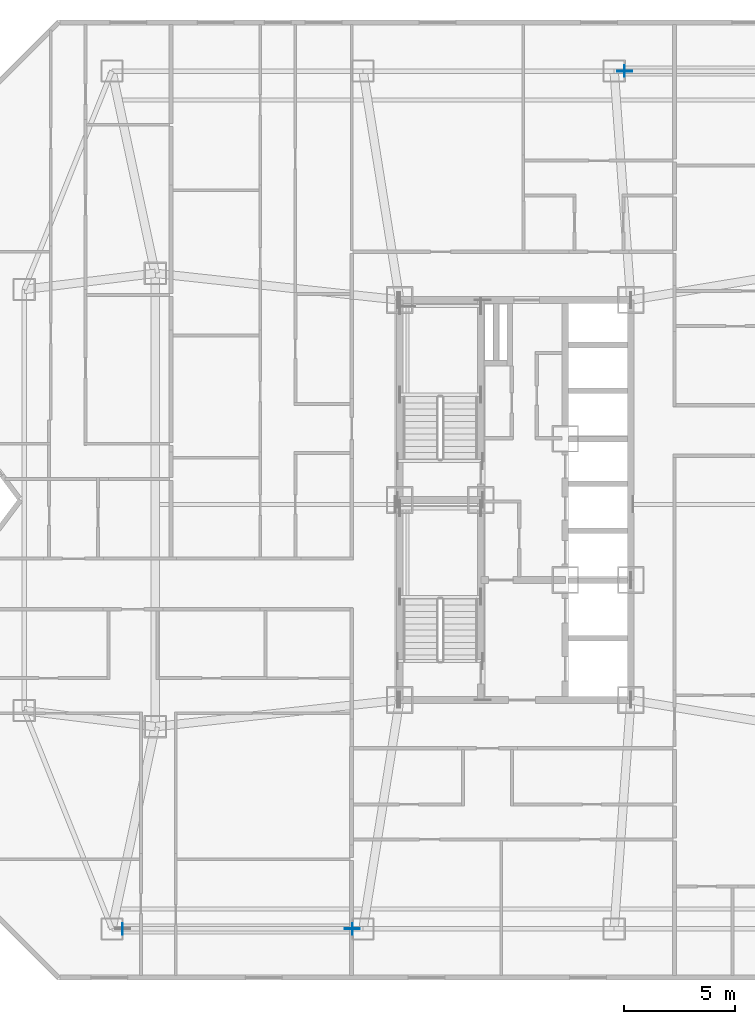
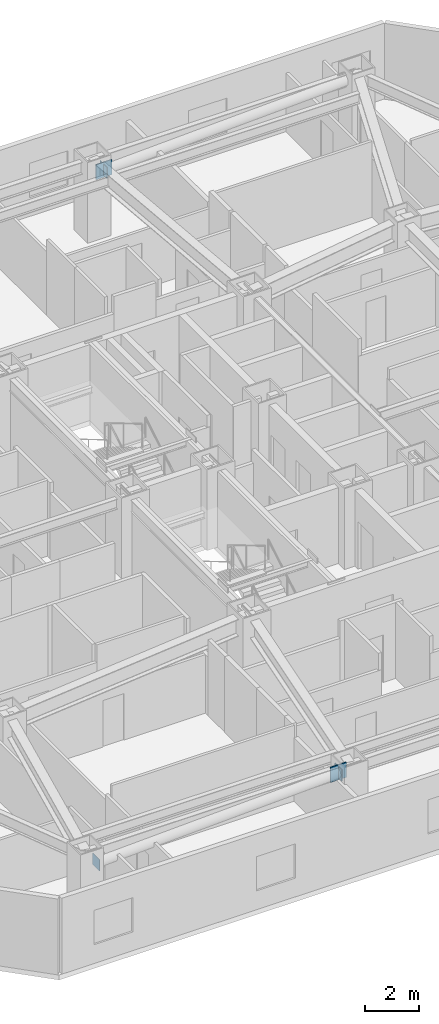
# One storey, part 5 of 15: 5 plates.
"""IFC4 building model written with IfcOpenShell, lengths in metres."""

from ifc_helpers import new_model, si_unit, direction, frame, origin, origin_2d, place, context, subcontext, project, spatial, rectangle, extrude, material, layer, layer_set, type_object, element, save


model = new_model("IFC4")

# Units and contexts
model_context = context("Model", 3, precision=1e-05, world=origin(), true_north=direction((0.0, 1.0)))
body_context = subcontext(model_context, "Body", "Model", "MODEL_VIEW")
ifc_project = project(units=[si_unit("LENGTHUNIT", "METRE"), si_unit("AREAUNIT", "SQUARE_METRE"), si_unit("VOLUMEUNIT", "CUBIC_METRE"), si_unit("PLANEANGLEUNIT", "RADIAN"), si_unit("MASSUNIT", "GRAM", prefix="KILO")], contexts=[model_context])

# Site, building, storey
site_placement = place(None, origin())
site = spatial("IfcSite", under=ifc_project, at=site_placement, CompositionType="ELEMENT")
building_placement = place(site_placement, origin())
building = spatial("IfcBuilding", under=site, at=building_placement, Name="Khamvora Tower", CompositionType="ELEMENT")
storey_placement = place(building_placement, frame((0.0, 0.0, 112.85009765625)))
storey = spatial("IfcBuildingStorey", under=building, at=storey_placement, Name="L28", CompositionType="ELEMENT", Elevation=112.85009765625)

# Plates
ifc_material_1 = material(Name="Steel S355", Category="steel")
ifc_layer_1 = layer(ifc_material_1, 0.02490234375)
ifc_layer_set_1 = layer_set([ifc_layer_1], Name="Steel S355")
plate_type_1 = type_object("IfcPlateType", Name="PL-CAP-25", PredefinedType="SHEET", material=ifc_layer_set_1)
for number, where, z_axis, x_axis, name in (
    (1, (16.51806640625, 8.699951171875, 2.4404296875), (0.0, 0.0, 1.0), (1.0, 0.0, 0.0), "L28 hollow section steel end cap plate 0756"),
    (2, (26.882080078125, 8.699951171875, 2.88330078125), (0.0, 0.0, 1.0), (1.0, 0.0, 0.0), "L28 hollow section steel end cap plate 0757"),
    (3, (39.117919921875, 47.300048828125, 2.4404296875), (0.0, 0.0, 1.0), (1.0, 0.0, 0.0), "L28 hollow section steel end cap plate 0758"),
):
    element("IfcPlate", number, at=place(storey_placement, frame(where, z_axis=z_axis, x_axis=x_axis)), inside=storey, type_object=plate_type_1, Name=name, PredefinedType="SHEET", context=body_context, shape_type="SweptSolid", body=[
        extrude(rectangle(XDim=0.02490234375, YDim=0.51708984375, at=origin_2d()), origin(), (0.0, 0.0, 1.0), 0.51708984375),
    ])
ifc_material_2 = material(Name="Steel S460", Category="steel")
ifc_layer_2 = layer(ifc_material_2, 0.0400390625)
ifc_layer_set_2 = layer_set([ifc_layer_2], Name="Steel S460")
plate_type_2 = type_object("IfcPlateType", Name="PLT-GUS-40", PredefinedType="SHEET", material=ifc_layer_set_2)
for number, where, z_axis, x_axis, name in (
    (4, (26.8701171875, 8.699951171875, 2.80078125), (0.0, 0.0, 1.0), (1.0, 0.0, 0.0), "L28 brace connection node gusset plate 0190"),
    (5, (39.1298828125, 47.300048828125, 2.35986328125), (0.0, 0.0, 1.0), (1.0, 0.0, 0.0), "L28 brace connection node gusset plate 0191"),
):
    element("IfcPlate", number, at=place(storey_placement, frame(where, z_axis=z_axis, x_axis=x_axis)), inside=storey, type_object=plate_type_2, Name=name, PredefinedType="SHEET", context=body_context, shape_type="SweptSolid", body=[
        extrude(rectangle(XDim=0.679931640625, YDim=0.0400390625, at=origin_2d()), origin(), (0.0, 0.0, 1.0), 0.679931640625),
    ])

save(model, "model.ifc")
